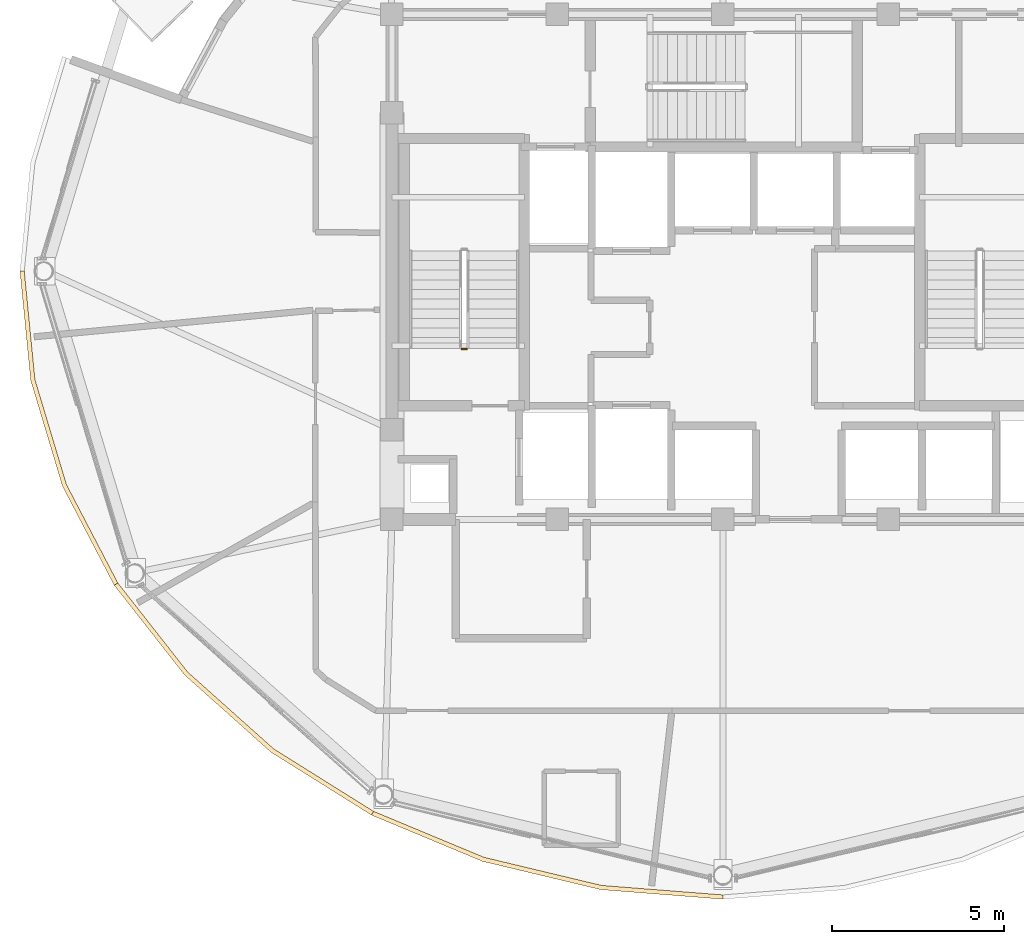
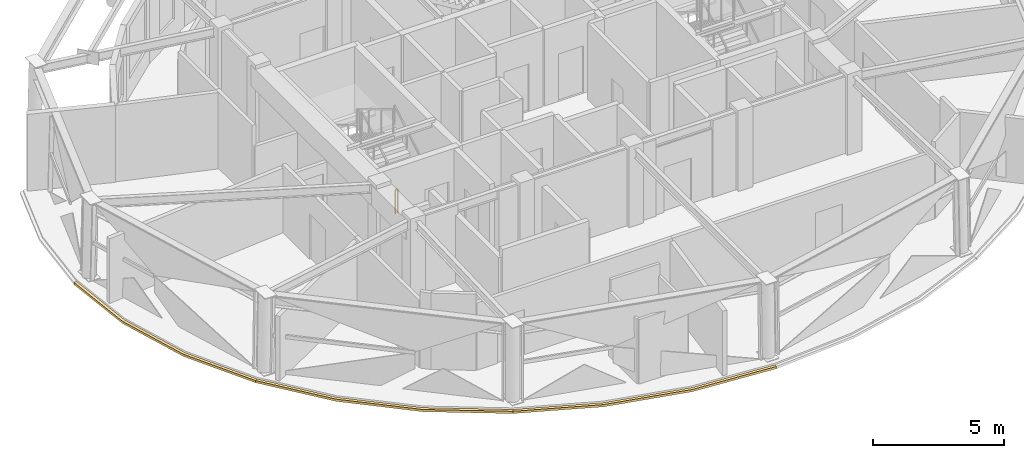
# One storey, part 11 of 14: 3 coverings, 1 railing.
"""IFC4 building model written with IfcOpenShell, lengths in metres."""

import ifcopenshell
import ifcopenshell.guid

model = None  # the IFC model being written
_history = None  # IfcOwnerHistory: only IFC2X3 demands one
_inside = {}  # id of a spatial element -> (the spatial element, [elements in it])
_under = {}  # id of a project, library or spatial element -> (it, [spatial elements below it])
_declared = {}  # id of a project -> (the project, [libraries it declares])
_typed = {}  # id of a type object -> (the type object, [elements of that type])
_made_of = {}  # id of a material, layer set ... -> (it, [elements and type objects made of it])


def new_model(schema):
    """Start an empty IFC model of exactly this schema.

    Asked for "IFC4X3", IfcOpenShell would pick the latest addendum, in which some entities
    have other attributes; the version numbers below select the first issue.
    IFC2X3 requires an IfcOwnerHistory on every rooted entity: one is made here for all.
    """
    global model, _history
    if schema == "IFC4X3":
        model = ifcopenshell.file(schema_version=(4, 3, 0, 0))
    else:
        model = ifcopenshell.file(schema=schema)
    _inside.clear()
    _under.clear()
    _declared.clear()
    _typed.clear()
    _made_of.clear()
    _history = None
    if model.schema == "IFC2X3":
        org = make("IfcOrganization", Name="unknown")
        user = make(
            "IfcPersonAndOrganization",
            ThePerson=make("IfcPerson", FamilyName="unknown"),
            TheOrganization=org,
        )
        app = make(
            "IfcApplication",
            ApplicationDeveloper=org,
            Version="unknown",
            ApplicationFullName="unknown",
            ApplicationIdentifier="unknown",
        )
        _history = make(
            "IfcOwnerHistory",
            OwningUser=user,
            OwningApplication=app,
            ChangeAction="ADDED",
            CreationDate=0,
        )
    return model


def make(cls, **values):
    """One entity of the class cls with the attributes given. An attribute that is None is left unset."""
    return model.create_entity(
        cls, **{name: value for name, value in values.items() if value is not None}
    )


def rooted(cls, **values):
    """An entity with a GlobalId (a new one), such as an element, a storey or a relation."""
    return make(cls, GlobalId=ifcopenshell.guid.new(), OwnerHistory=_history, **values)


def si_unit(unit_type, name, prefix=None):
    """IfcSIUnit, for example si_unit("LENGTHUNIT", "METRE", prefix="MILLI")."""
    return make("IfcSIUnit", UnitType=unit_type, Prefix=prefix, Name=name)


def assignment(units):
    """IfcUnitAssignment: the units of a project."""
    return None if units is None else make("IfcUnitAssignment", Units=units)


def point(xyz):
    """IfcCartesianPoint."""
    return None if xyz is None else make("IfcCartesianPoint", Coordinates=xyz)


def direction(xyz):
    """IfcDirection."""
    return None if xyz is None else make("IfcDirection", DirectionRatios=xyz)


def frame(location, z_axis=None, x_axis=None):
    """IfcAxis2Placement3D, a coordinate frame: its origin and axes. An axis left out is left unset."""
    return make(
        "IfcAxis2Placement3D",
        Location=point(location),
        Axis=direction(z_axis),
        RefDirection=direction(x_axis),
    )


def frame_2d(location, x_axis=None):
    """IfcAxis2Placement2D, a coordinate frame in the plane: its origin and x axis."""
    return make(
        "IfcAxis2Placement2D", Location=point(location), RefDirection=direction(x_axis)
    )


def origin():
    """The frame at (0, 0, 0) with its axes left unset."""
    return frame((0.0, 0.0, 0.0))


def origin_2d():
    """The frame at (0, 0) in the plane with its x axis left unset."""
    return frame_2d((0.0, 0.0))


def place(relative_to, where):
    """IfcLocalPlacement: puts the frame where relative to a parent placement (None: the world)."""
    return make(
        "IfcLocalPlacement", PlacementRelTo=relative_to, RelativePlacement=where
    )


def context(
    kind, dimensions, precision=None, world=None, true_north=None, identifier=None
):
    """IfcGeometricRepresentationContext, for example the 3D "Model" context."""
    return make(
        "IfcGeometricRepresentationContext",
        ContextIdentifier=identifier,
        ContextType=kind,
        CoordinateSpaceDimension=dimensions,
        Precision=precision,
        WorldCoordinateSystem=world,
        TrueNorth=true_north,
    )


def subcontext(parent, identifier, kind, view, scale=None):
    """IfcGeometricRepresentationSubContext, for example "Body" below "Model"."""
    return make(
        "IfcGeometricRepresentationSubContext",
        ContextIdentifier=identifier,
        ContextType=kind,
        ParentContext=parent,
        TargetScale=scale,
        TargetView=view,
    )


def project(units=None, contexts=None):
    """IfcProject with its units and contexts."""
    return rooted(
        "IfcProject",
        Name="project",
        RepresentationContexts=contexts,
        UnitsInContext=assignment(units),
    )


def spatial(cls, under=None, at=None, **own):
    """A site, building, storey or space (cls), placed at a placement, below another one or the project."""
    s = rooted(cls, ObjectPlacement=at, **own)
    if under is not None:
        _under.setdefault(under.id(), (under, []))[1].append(s)
    return s


def polyline(points):
    """IfcPolyline through the points."""
    return make("IfcPolyline", Points=[point(p) for p in points])


def profile(cls, at=None, kind="AREA", **sizes):
    """A parametric profile (cls). Its sizes go by their IFC names, for example OverallWidth=200.0."""
    return make(cls, ProfileType=kind, Position=at, **sizes)


def rectangle(**sizes):
    """IfcRectangleProfileDef."""
    return profile("IfcRectangleProfileDef", **sizes)


def outline(outer, holes=None, kind="AREA"):
    """IfcArbitraryClosedProfileDef: a profile drawn as a closed curve; with holes, ...WithVoids."""
    if holes is None:
        return make("IfcArbitraryClosedProfileDef", ProfileType=kind, OuterCurve=outer)
    return make(
        "IfcArbitraryProfileDefWithVoids",
        ProfileType=kind,
        OuterCurve=outer,
        InnerCurves=holes,
    )


def extrude(swept, where, along, depth):
    """IfcExtrudedAreaSolid: the profile swept, set in the frame where, extruded along a direction by depth."""
    return make(
        "IfcExtrudedAreaSolid",
        SweptArea=swept,
        Position=where,
        ExtrudedDirection=direction(along),
        Depth=depth,
    )


def shape(context_of_items, identifier, shape_type, items):
    """IfcShapeRepresentation: the items that make up one representation, for example the "Body"."""
    return make(
        "IfcShapeRepresentation",
        ContextOfItems=context_of_items,
        RepresentationIdentifier=identifier,
        RepresentationType=shape_type,
        Items=items,
    )


def material(Name=None, Category=None):
    """IfcMaterial."""
    return make("IfcMaterial", Name=Name, Category=Category)


def layer(
    of_material, thickness, ventilated=None, Name=None, Category=None, Priority=None
):
    """IfcMaterialLayer: one layer of a wall or slab, of a material (None: an air gap)."""
    return make(
        "IfcMaterialLayer",
        Material=of_material,
        LayerThickness=thickness,
        IsVentilated=ventilated,
        Name=Name,
        Category=Category,
        Priority=Priority,
    )


def layer_set(layers, Name=None):
    """IfcMaterialLayerSet."""
    return make("IfcMaterialLayerSet", MaterialLayers=layers, LayerSetName=Name)


def made_of(thing, what):
    """Note that an element or type object is made of a material, layer set ...; save() writes the relation."""
    if what is not None:
        _made_of.setdefault(what.id(), (what, []))[1].append(thing)
    return thing


def type_object(cls, material=None, **own):
    """A type object (cls), such as IfcWallType, which elements share."""
    return made_of(rooted(cls, **own), material)


def element(
    cls,
    number,
    at=None,
    inside=None,
    cuts=None,
    type_object=None,
    material=None,
    context=None,
    identifier="Body",
    shape_type=None,
    held_by="IfcProductDefinitionShape",
    body=None,
    shapes=None,
    **own,
):
    """One element of the class cls, such as IfcWall. Its Tag is "e" and its number.

    at: its placement. inside: the storey or other place that contains it. cuts: it is an
    opening in that element (IfcRelVoidsElement). A single representation is given by context,
    identifier, shape_type and body (its items); several are given by shapes. held_by: the class
    of the entity that holds the representations. save() writes the other relations.
    """
    e = rooted(cls, Tag="e%d" % number, ObjectPlacement=at, **own)
    if body is not None:
        shapes = [shape(context, identifier, shape_type, body)]
    if shapes is not None:
        e.Representation = make(held_by, Representations=shapes)
    if inside is not None:
        _inside.setdefault(inside.id(), (inside, []))[1].append(e)
    if cuts is not None:
        rooted(
            "IfcRelVoidsElement", RelatingBuildingElement=cuts, RelatedOpeningElement=e
        )
    if type_object is not None:
        _typed.setdefault(type_object.id(), (type_object, []))[1].append(e)
    return made_of(e, material)


def aggregate(whole, parts):
    """IfcRelAggregates: a whole, such as a stair, and the parts it consists of."""
    return rooted("IfcRelAggregates", RelatingObject=whole, RelatedObjects=parts)


def save(model, path):
    """Write the relations noted so far, then the file.

    IfcRelAggregates (storeys below a building ...), IfcRelContainedInSpatialStructure (elements
    in a storey), IfcRelDefinesByType, IfcRelAssociatesMaterial and IfcRelDeclares: one each for
    every whole, place, type object, material and project.
    """
    for whole, parts in _under.values():
        aggregate(whole, parts)
    for where, things in _inside.values():
        rooted(
            "IfcRelContainedInSpatialStructure",
            RelatedElements=things,
            RelatingStructure=where,
        )
    for kind, things in _typed.values():
        rooted("IfcRelDefinesByType", RelatedObjects=things, RelatingType=kind)
    for what, things in _made_of.values():
        rooted("IfcRelAssociatesMaterial", RelatedObjects=things, RelatingMaterial=what)
    for by, libraries in _declared.values():
        rooted("IfcRelDeclares", RelatingContext=by, RelatedDefinitions=libraries)
    model.write(path)


model = new_model("IFC4")

# Units and contexts
model_context = context("Model", 3, precision=1e-05, world=origin(), true_north=direction((0.0, 1.0)))
body_context = subcontext(model_context, "Body", "Model", "MODEL_VIEW")
ifc_project = project(units=[si_unit("LENGTHUNIT", "METRE"), si_unit("AREAUNIT", "SQUARE_METRE"), si_unit("VOLUMEUNIT", "CUBIC_METRE"), si_unit("PLANEANGLEUNIT", "RADIAN"), si_unit("MASSUNIT", "GRAM", prefix="KILO")], contexts=[model_context])

# Site, building, storey
site_placement = place(None, origin())
site = spatial("IfcSite", under=ifc_project, at=site_placement, CompositionType="ELEMENT")
building_placement = place(site_placement, origin())
building = spatial("IfcBuilding", under=site, at=building_placement, Name="Vantalir Tower", CompositionType="ELEMENT")
storey_placement = place(building_placement, frame((0.0, 0.0, 271.35009765625)))
storey = spatial("IfcBuildingStorey", under=building, at=storey_placement, Name="L68", CompositionType="ELEMENT", Elevation=271.35009765625)

# Coverings
ifc_material_1 = material(Name="Anodised champagne aluminium sill fascia", Category="aluminium")
ifc_layer = layer(ifc_material_1, 0.125)
ifc_layer_set = layer_set([ifc_layer], Name="Anodised champagne aluminium sill fascia")
covering_type = type_object("IfcCoveringType", Name="COV-SLAB-FASCIA-125", PredefinedType="CLADDING", material=ifc_layer_set)
covering_1_placement = place(storey_placement, frame((0.0, 0.0, -0.18017578125)))
element("IfcCovering", 1, at=covering_1_placement, inside=storey, type_object=covering_type, Name="L68 Perimeter Slab-Edge Sill Fascia 07", PredefinedType="CLADDING", context=body_context, shape_type="SweptSolid", body=[
    extrude(outline(polyline([(11.114990234375, 25.0), (11.425048828125, 21.8369140625), (12.343994140625, 18.77001953125), (13.845947265625, 15.89306640625), (13.9541015625, 15.955078125), (12.4619140625, 18.81298828125), (11.548095703125, 21.85888671875), (11.239990234375, 25.0), (11.114990234375, 25.0)])), origin(), (0.0, 0.0, 1.0), 0.10498046875),
])
covering_2_placement = place(storey_placement, frame((0.0, 0.0, -0.18017578125)))
element("IfcCovering", 2, at=covering_2_placement, inside=storey, type_object=covering_type, Name="L68 Perimeter Slab-Edge Sill Fascia 08", PredefinedType="CLADDING", context=body_context, shape_type="SweptSolid", body=[
    extrude(outline(polyline([(13.845947265625, 15.89306640625), (15.884033203125, 13.2919921875), (18.39697265625, 11.047119140625), (21.306884765625, 9.22607421875), (21.3701171875, 9.333984375), (18.47705078125, 11.14306640625), (15.97998046875, 13.373046875), (13.9541015625, 15.955078125), (13.845947265625, 15.89306640625)])), origin(), (0.0, 0.0, 1.0), 0.10498046875),
])
covering_3_placement = place(storey_placement, frame((0.0, 0.0, -0.18017578125)))
element("IfcCovering", 3, at=covering_3_placement, inside=storey, type_object=covering_type, Name="L68 Perimeter Slab-Edge Sill Fascia 09", PredefinedType="CLADDING", context=body_context, shape_type="SweptSolid", body=[
    extrude(outline(polyline([(21.306884765625, 9.22607421875), (24.528076171875, 7.884033203125), (27.9599609375, 7.06298828125), (31.5, 6.785888671875), (31.5, 6.910888671875), (27.98193359375, 7.18603515625), (24.571044921875, 8.001953125), (21.3701171875, 9.333984375), (21.306884765625, 9.22607421875)])), origin(), (0.0, 0.0, 1.0), 0.10498046875),
])

# Railing
ifc_material_2 = material(Name="Anodised aluminium and stainless steel guard", Category="steel")
railing_type = type_object("IfcRailingType", Name="RAL-GUARD-1120", PredefinedType="GUARDRAIL", material=ifc_material_2)
railing_placement = place(storey_placement, frame((24.06005859375, 22.739990234375, 0.0)))
element("IfcRailing", 4, at=railing_placement, inside=storey, type_object=railing_type, Name="L68 ST1 stair guard 4", PredefinedType="GUARDRAIL", context=body_context, shape_type="SweptSolid", body=[
    extrude(rectangle(XDim=0.048095703125, YDim=0.048095703125, at=origin_2d()), frame((0.0, 0.0, 1.09619140625), z_axis=(-1.0, 0.0, 0.0), x_axis=(0.0, -1.0, 0.0)), (0.0, 0.0, 1.0), 0.1201171875),
    extrude(rectangle(XDim=0.0419921875, YDim=0.0419921875, at=origin_2d()), origin(), (0.0, 0.0, 1.0), 1.072021484375),
    extrude(rectangle(XDim=0.0419921875, YDim=0.0419921875, at=origin_2d()), frame((-0.1201171875, 0.0, 0.0)), (0.0, 0.0, 1.0), 1.072021484375),
])

save(model, "model.ifc")
